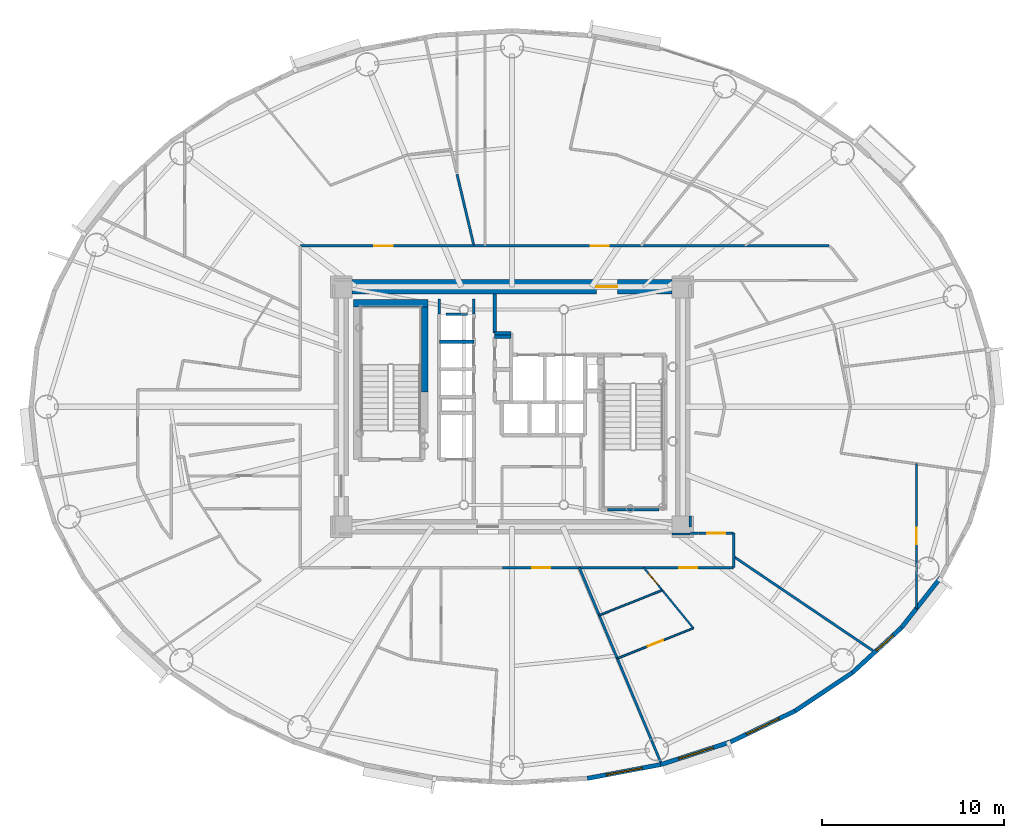
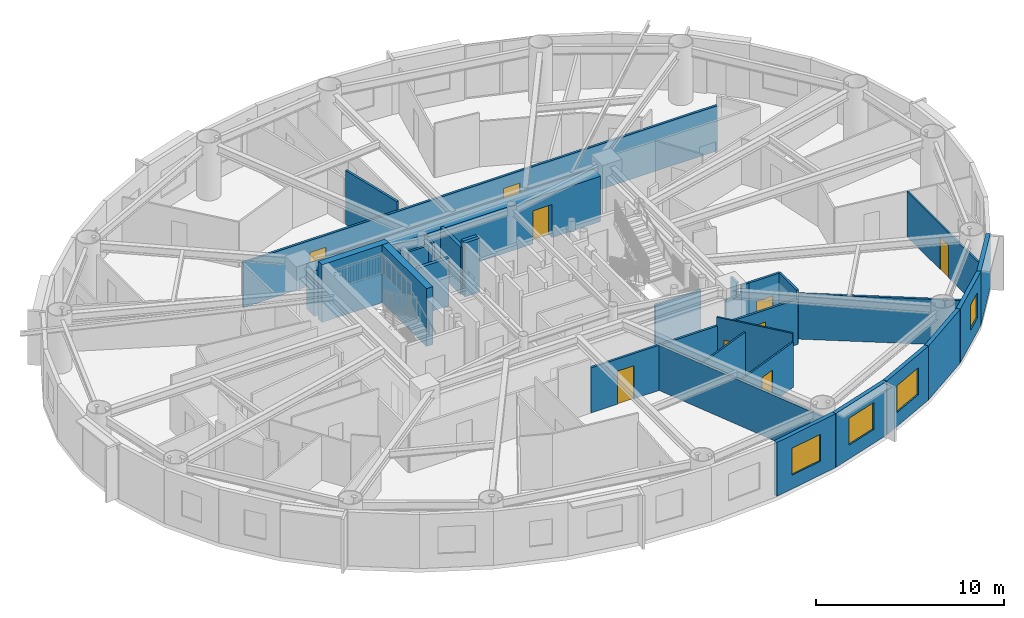
# One storey, part 9 of 18: 31 walls, 9 doors, 4 windows, 13 openings.
"""IFC4 building model written with IfcOpenShell, lengths in metres."""

from ifc_helpers import new_model, si_unit, direction, frame, frame_2d, origin, origin_2d, place, context, subcontext, project, spatial, rectangle, extrude, source, transform, mapped, material, layer, layer_set, type_object, element, fill, save


model = new_model("IFC4")

# Units and contexts
model_context = context("Model", 3, precision=1e-05, world=origin(), true_north=direction((0.0, 1.0)))
body_context = subcontext(model_context, "Body", "Model", "MODEL_VIEW")
ifc_project = project(units=[si_unit("LENGTHUNIT", "METRE"), si_unit("AREAUNIT", "SQUARE_METRE"), si_unit("VOLUMEUNIT", "CUBIC_METRE"), si_unit("PLANEANGLEUNIT", "RADIAN"), si_unit("MASSUNIT", "GRAM", prefix="KILO")], contexts=[model_context])

# Site, building, storey
site_placement = place(None, origin())
site = spatial("IfcSite", under=ifc_project, at=site_placement, CompositionType="ELEMENT")
building_placement = place(site_placement, origin())
building = spatial("IfcBuilding", under=site, at=building_placement, Name="Linh Dai School and Residence Tower", CompositionType="ELEMENT")
storey_placement = place(building_placement, frame((0.0, 0.0, 159.89990234375)))
storey = spatial("IfcBuildingStorey", under=building, at=storey_placement, Name="L38", CompositionType="ELEMENT", Elevation=159.89990234375)

# Wall, opening, window
ifc_material_1 = material(Name="Precast Concrete B45 (C35/45)", Category="concrete")
ifc_layer_1 = layer(ifc_material_1, 0.239990234375)
ifc_layer_set_1 = layer_set([ifc_layer_1], Name="Precast Concrete B45 (C35/45)")
wall_type_1 = type_object("IfcWallType", Name="EW-TC-240", PredefinedType="SOLIDWALL", material=ifc_layer_set_1)
wall_1_placement = place(storey_placement, frame((44.18896484375, 7.310546875, 0.0), z_axis=(0.0, 0.0, 1.0), x_axis=(-0.982788108205, -0.184736391573, 0.0)))
wall_1 = element("IfcWall", 1, at=wall_1_placement, inside=storey, type_object=wall_type_1, Name="L38 Terracotta Exterior Wall 32", PredefinedType="SOLIDWALL", context=body_context, shape_type="SweptSolid", body=[
    extrude(rectangle(XDim=4.114013671875, YDim=0.239990234375, at=frame_2d((2.05712890625, 0.0))), origin(), (0.0, 0.0, 1.0), 3.5),
])
opening_1_placement = place(wall_1_placement, frame((1.044677734375, 0.0, 0.89990234375)))
opening_1 = element("IfcOpeningElement", 2, at=opening_1_placement, cuts=wall_1, Name="Opening W1", PredefinedType="OPENING", context=body_context, shape_type="SweptSolid", body=[
    extrude(rectangle(XDim=2.0, YDim=1.75, at=origin_2d()), frame((1.0, 0.1298828125, 0.875), z_axis=(0.0, -1.0, 0.0), x_axis=(1.0, 0.0, 0.0)), (0.0, 0.0, 1.0), 0.260009765625),
])
ifc_material_2 = material(Name="Double Low-E Insulated Glazing", Category="glass")
window_type_1 = type_object("IfcWindowType", Name="WN-RES-2000x1750", PartitioningType="DOUBLE_PANEL_VERTICAL", PredefinedType="WINDOW", material=ifc_material_2)
shared_shape_1 = source(origin(), body_context, "Body", "SweptSolid", [
    extrude(rectangle(XDim=2.0, YDim=1.75, at=origin_2d()), frame((1.0, 0.030029296875, 0.875), z_axis=(0.0, -1.0, 0.0), x_axis=(1.0, 0.0, 0.0)), (0.0, 0.0, 1.0), 0.06005859375),
])
window_1_placement = place(opening_1_placement, origin())
window_1 = element("IfcWindow", 3, at=window_1_placement, inside=storey, type_object=window_type_1, Name="L38 Exterior Window 32.1", OverallHeight=1.75, OverallWidth=2.0, PartitioningType="DOUBLE_PANEL_VERTICAL", PredefinedType="WINDOW", context=body_context, shape_type="MappedRepresentation", body=[
    mapped(shared_shape_1, transform((0.0, 0.0, 0.0), x_axis=(1.0, 0.0, 0.0), y_axis=(0.0, 1.0, 0.0), z_axis=(0.0, 0.0, 1.0), scale=1.0)),
])
fill(opening_1, window_1)

wall_2_placement = place(storey_placement, frame((48.02978515625, 8.556396484375, 0.0), z_axis=(0.0, 0.0, 1.0), x_axis=(-0.951209870236, -0.30854462038, 0.0)))
wall_2 = element("IfcWall", 4, at=wall_2_placement, inside=storey, type_object=wall_type_1, Name="L38 Terracotta Exterior Wall 33", PredefinedType="SOLIDWALL", context=body_context, shape_type="SweptSolid", body=[
    extrude(rectangle(XDim=4.037841796875, YDim=0.239990234375, at=frame_2d((2.01904296875, 0.0))), origin(), (0.0, 0.0, 1.0), 3.5),
])
opening_2_placement = place(wall_2_placement, frame((1.00634765625, 0.0, 0.89990234375)))
opening_2 = element("IfcOpeningElement", 5, at=opening_2_placement, cuts=wall_2, Name="Opening W1", PredefinedType="OPENING", context=body_context, shape_type="SweptSolid", body=[
    extrude(rectangle(XDim=2.0, YDim=1.75, at=origin_2d()), frame((1.0, 0.1298828125, 0.875), z_axis=(0.0, -1.0, 0.0), x_axis=(1.0, 0.0, 0.0)), (0.0, 0.0, 1.0), 0.260009765625),
])
window_2_placement = place(opening_2_placement, origin())
window_2 = element("IfcWindow", 6, at=window_2_placement, inside=storey, type_object=window_type_1, Name="L38 Exterior Window 33.1", OverallHeight=1.75, OverallWidth=2.0, PartitioningType="DOUBLE_PANEL_VERTICAL", PredefinedType="WINDOW", context=body_context, shape_type="MappedRepresentation", body=[
    mapped(shared_shape_1, transform((0.0, 0.0, 0.0), x_axis=(1.0, 0.0, 0.0), y_axis=(0.0, 1.0, 0.0), z_axis=(0.0, 0.0, 1.0), scale=1.0)),
])
fill(opening_2, window_2)

wall_3_placement = place(storey_placement, frame((51.5732421875, 10.2568359375, 0.0), z_axis=(0.0, 0.0, 1.0), x_axis=(-0.901564733809, -0.432644231155, 0.0)))
wall_3 = element("IfcWall", 7, at=wall_3_placement, inside=storey, type_object=wall_type_1, Name="L38 Terracotta Exterior Wall 34", PredefinedType="SOLIDWALL", context=body_context, shape_type="SweptSolid", body=[
    extrude(rectangle(XDim=3.930419921875, YDim=0.239990234375, at=frame_2d((1.96533203125, 0.0))), origin(), (0.0, 0.0, 1.0), 3.5),
])
opening_3_placement = place(wall_3_placement, frame((0.96533203125, 0.0, 0.89990234375)))
opening_3 = element("IfcOpeningElement", 8, at=opening_3_placement, cuts=wall_3, Name="Opening W1", PredefinedType="OPENING", context=body_context, shape_type="SweptSolid", body=[
    extrude(rectangle(XDim=2.0, YDim=1.75, at=origin_2d()), frame((1.0, 0.1298828125, 0.875), z_axis=(0.0, -1.0, 0.0), x_axis=(1.0, 0.0, 0.0)), (0.0, 0.0, 1.0), 0.260009765625),
])
window_3_placement = place(opening_3_placement, origin())
window_3 = element("IfcWindow", 9, at=window_3_placement, inside=storey, type_object=window_type_1, Name="L38 Exterior Window 34.1", OverallHeight=1.75, OverallWidth=2.0, PartitioningType="DOUBLE_PANEL_VERTICAL", PredefinedType="WINDOW", context=body_context, shape_type="MappedRepresentation", body=[
    mapped(shared_shape_1, transform((0.0, 0.0, 0.0), x_axis=(1.0, 0.0, 0.0), y_axis=(0.0, 1.0, 0.0), z_axis=(0.0, 0.0, 1.0), scale=1.0)),
])
fill(opening_3, window_3)

# Wall
wall_4_placement = place(storey_placement, frame((54.73193359375, 12.369384765625, 0.0), z_axis=(0.0, 0.0, 1.0), x_axis=(-0.831228998277, -0.555930168657, 0.0)))
element("IfcWall", 10, at=wall_4_placement, inside=storey, type_object=wall_type_1, Name="L38 Terracotta Exterior Wall 35", PredefinedType="SOLIDWALL", context=body_context, shape_type="SweptSolid", body=[
    extrude(rectangle(XDim=3.800048828125, YDim=0.239990234375, at=frame_2d((1.89990234375, 0.0))), origin(), (0.0, 0.0, 1.0), 3.5),
])

# Wall, opening, window
wall_5_placement = place(storey_placement, frame((57.42822265625, 14.841552734375, 0.0), z_axis=(0.0, 0.0, 1.0), x_axis=(-0.737076565834, -0.675809245349, 0.0)))
wall_5 = element("IfcWall", 11, at=wall_5_placement, inside=storey, type_object=wall_type_1, Name="L38 Terracotta Exterior Wall 36", PredefinedType="SOLIDWALL", context=body_context, shape_type="SweptSolid", body=[
    extrude(rectangle(XDim=3.658203125, YDim=0.239990234375, at=frame_2d((1.8291015625, 0.0))), origin(), (0.0, 0.0, 1.0), 3.5),
])
opening_4_placement = place(wall_5_placement, frame((0.62060546875, 0.0, 0.89990234375)))
opening_4 = element("IfcOpeningElement", 12, at=opening_4_placement, cuts=wall_5, Name="Opening W3", PredefinedType="OPENING", context=body_context, shape_type="SweptSolid", body=[
    extrude(rectangle(XDim=1.25, YDim=1.64990234375, at=origin_2d()), frame((0.625, 0.1298828125, 0.824951171875), z_axis=(0.0, -1.0, 0.0), x_axis=(1.0, 0.0, 0.0)), (0.0, 0.0, 1.0), 0.260009765625),
])
window_type_2 = type_object("IfcWindowType", Name="WN-RES-1250x1650", PartitioningType="SINGLE_PANEL", PredefinedType="WINDOW", material=ifc_material_2)
shared_shape_2 = source(origin(), body_context, "Body", "SweptSolid", [
    extrude(rectangle(XDim=1.25, YDim=1.64990234375, at=origin_2d()), frame((0.625, 0.030029296875, 0.824951171875), z_axis=(0.0, -1.0, 0.0), x_axis=(1.0, 0.0, 0.0)), (0.0, 0.0, 1.0), 0.06005859375),
])
window_4_placement = place(opening_4_placement, origin())
window_4 = element("IfcWindow", 13, at=window_4_placement, inside=storey, type_object=window_type_2, Name="L38 Dwelling Window U3808-LIV", OverallHeight=1.64990234375, OverallWidth=1.25, PartitioningType="SINGLE_PANEL", PredefinedType="WINDOW", context=body_context, shape_type="MappedRepresentation", body=[
    mapped(shared_shape_2, transform((0.0, 0.0, 0.0), x_axis=(1.0, 0.0, 0.0), y_axis=(0.0, 1.0, 0.0), z_axis=(0.0, 0.0, 1.0), scale=1.0)),
])
fill(opening_4, window_4)

# Wall
wall_6_placement = place(storey_placement, frame((59.595947265625, 17.611572265625, 0.0), z_axis=(0.0, 0.0, 1.0), x_axis=(-0.616287674549, -0.787521112224, 0.0)))
element("IfcWall", 14, at=wall_6_placement, inside=storey, type_object=wall_type_1, Name="L38 Terracotta Exterior Wall 37", PredefinedType="SOLIDWALL", context=body_context, shape_type="SweptSolid", body=[
    extrude(rectangle(XDim=3.517333984375, YDim=0.239990234375, at=frame_2d((1.7587890625, 0.0))), origin(), (0.0, 0.0, 1.0), 3.5),
])

# Wall, openings, doors
ifc_material_3 = material(Name="Autoclaved Aerated Concrete Blockwork", Category="masonry")
ifc_layer_2 = layer(ifc_material_3, 0.135009765625)
ifc_layer_set_2 = layer_set([ifc_layer_2], Name="Autoclaved Aerated Concrete Blockwork")
wall_type_2 = type_object("IfcWallType", Name="IW-CORR-135-EI90", PredefinedType="PARTITIONING", material=ifc_layer_set_2)
wall_7_placement = place(storey_placement, frame((24.35009765625, 35.85009765625, 0.0), z_axis=(0.0, 0.0, 1.0), x_axis=(1.0, 0.0, 0.0)))
wall_7 = element("IfcWall", 15, at=wall_7_placement, inside=storey, type_object=wall_type_2, Name="L38 Interior Partition Wall 026", PredefinedType="PARTITIONING", context=body_context, shape_type="SweptSolid", body=[
    extrude(rectangle(XDim=29.103759765625, YDim=0.135009765625, at=frame_2d((14.5517578125, 0.0))), origin(), (0.0, 0.0, 1.0), 2.93505859375),
])
opening_5_placement = place(wall_7_placement, frame((15.9716796875, 0.0, 0.0)))
opening_5 = element("IfcOpeningElement", 16, at=opening_5_placement, cuts=wall_7, Name="Opening D03", PredefinedType="OPENING", context=body_context, shape_type="SweptSolid", body=[
    extrude(rectangle(XDim=1.0, YDim=2.14990234375, at=origin_2d()), frame((0.5, 0.07763671875, 1.074951171875), z_axis=(0.0, -1.0, 0.0), x_axis=(1.0, 0.0, 0.0)), (0.0, 0.0, 1.0), 0.155029296875),
])
opening_6_placement = place(wall_7_placement, frame((4.07421875, 0.0, 0.0)))
opening_6 = element("IfcOpeningElement", 17, at=opening_6_placement, cuts=wall_7, Name="Opening D03", PredefinedType="OPENING", context=body_context, shape_type="SweptSolid", body=[
    extrude(rectangle(XDim=1.0, YDim=2.14990234375, at=origin_2d()), frame((0.5, 0.07763671875, 1.074951171875), z_axis=(0.0, -1.0, 0.0), x_axis=(1.0, 0.0, 0.0)), (0.0, 0.0, 1.0), 0.155029296875),
])
ifc_material_4 = material(Name="Fire-Rated Solid Timber Entrance Door", Category="wood")
door_type_1 = type_object("IfcDoorType", Name="DR-FLAT-1000x2150-FD60S", OperationType="NOTDEFINED", PredefinedType="DOOR", material=ifc_material_4)
shared_shape_3 = source(origin(), body_context, "Body", "SweptSolid", [
    extrude(rectangle(XDim=1.0, YDim=2.14990234375, at=origin_2d()), frame((0.5, 0.02490234375, 1.074951171875), z_axis=(0.0, -1.0, 0.0), x_axis=(1.0, 0.0, 0.0)), (0.0, 0.0, 1.0), 0.050048828125),
])
door_1_placement = place(opening_5_placement, origin())
door_1 = element("IfcDoor", 18, at=door_1_placement, inside=storey, type_object=door_type_1, Name="L38 U3802 Apartment Entrance Door", OperationType="SINGLE_SWING_LEFT", OverallHeight=2.14990234375, OverallWidth=1.0, PredefinedType="DOOR", context=body_context, shape_type="MappedRepresentation", body=[
    mapped(shared_shape_3, transform((0.0, 0.0, 0.0), x_axis=(1.0, 0.0, 0.0), y_axis=(0.0, 1.0, 0.0), z_axis=(0.0, 0.0, 1.0), scale=1.0)),
])
fill(opening_5, door_1)
door_2_placement = place(opening_6_placement, origin())
door_2 = element("IfcDoor", 19, at=door_2_placement, inside=storey, type_object=door_type_1, Name="L38 U3803 Apartment Entrance Door", OperationType="SINGLE_SWING_LEFT", OverallHeight=2.14990234375, OverallWidth=1.0, PredefinedType="DOOR", context=body_context, shape_type="MappedRepresentation", body=[
    mapped(shared_shape_3, transform((0.0, 0.0, 0.0), x_axis=(1.0, 0.0, 0.0), y_axis=(0.0, 1.0, 0.0), z_axis=(0.0, 0.0, 1.0), scale=1.0)),
])
fill(opening_6, door_2)

# Wall
wall_8_placement = place(storey_placement, frame((32.975830078125, 39.79248046875, 0.0), z_axis=(0.0, 0.0, 1.0), x_axis=(0.230050705958, -0.973178643769, 0.0)))
element("IfcWall", 20, at=wall_8_placement, inside=storey, type_object=wall_type_2, Name="L38 Interior Partition Wall 043", PredefinedType="PARTITIONING", context=body_context, shape_type="SweptSolid", body=[
    extrude(rectangle(XDim=3.99560546875, YDim=0.135009765625, at=frame_2d((1.997802734375, 0.0))), origin(), (0.0, 0.0, 1.0), 3.5),
])

# Wall, openings, doors
wall_9_placement = place(storey_placement, frame((35.48583984375, 18.14990234375, 0.0), z_axis=(0.0, 0.0, 1.0), x_axis=(1.0, 0.0, 0.0)))
wall_9 = element("IfcWall", 21, at=wall_9_placement, inside=storey, type_object=wall_type_2, Name="L38 Interior Partition Wall 058", PredefinedType="PARTITIONING", context=body_context, shape_type="SweptSolid", body=[
    extrude(rectangle(XDim=12.714111328125, YDim=0.135009765625, at=frame_2d((6.35693359375, 0.0))), origin(), (0.0, 0.0, 1.0), 2.93505859375),
])
opening_7_placement = place(wall_9_placement, frame((1.6279296875, 0.0, 0.0)))
opening_7 = element("IfcOpeningElement", 22, at=opening_7_placement, cuts=wall_9, Name="Opening D03", PredefinedType="OPENING", context=body_context, shape_type="SweptSolid", body=[
    extrude(rectangle(XDim=1.0, YDim=2.14990234375, at=origin_2d()), frame((0.5, 0.07763671875, 1.074951171875), z_axis=(0.0, -1.0, 0.0), x_axis=(1.0, 0.0, 0.0)), (0.0, 0.0, 1.0), 0.155029296875),
])
opening_8_placement = place(wall_9_placement, frame((9.71923828125, 0.0, 0.0)))
opening_8 = element("IfcOpeningElement", 23, at=opening_8_placement, cuts=wall_9, Name="Opening D03", PredefinedType="OPENING", context=body_context, shape_type="SweptSolid", body=[
    extrude(rectangle(XDim=1.0, YDim=2.14990234375, at=origin_2d()), frame((0.5, 0.07763671875, 1.074951171875), z_axis=(0.0, -1.0, 0.0), x_axis=(1.0, 0.0, 0.0)), (0.0, 0.0, 1.0), 0.155029296875),
])
door_3_placement = place(opening_7_placement, origin())
door_3 = element("IfcDoor", 24, at=door_3_placement, inside=storey, type_object=door_type_1, Name="L38 U3806 Apartment Entrance Door", OperationType="SINGLE_SWING_LEFT", OverallHeight=2.14990234375, OverallWidth=1.0, PredefinedType="DOOR", context=body_context, shape_type="MappedRepresentation", body=[
    mapped(shared_shape_3, transform((0.0, 0.0, 0.0), x_axis=(1.0, 0.0, 0.0), y_axis=(0.0, 1.0, 0.0), z_axis=(0.0, 0.0, 1.0), scale=1.0)),
])
fill(opening_7, door_3)
door_4_placement = place(opening_8_placement, origin())
door_4 = element("IfcDoor", 25, at=door_4_placement, inside=storey, type_object=door_type_1, Name="L38 U3807 Apartment Entrance Door", OperationType="SINGLE_SWING_LEFT", OverallHeight=2.14990234375, OverallWidth=1.0, PredefinedType="DOOR", context=body_context, shape_type="MappedRepresentation", body=[
    mapped(shared_shape_3, transform((0.0, 0.0, 0.0), x_axis=(1.0, 0.0, 0.0), y_axis=(0.0, 1.0, 0.0), z_axis=(0.0, 0.0, 1.0), scale=1.0)),
])
fill(opening_8, door_4)

# Wall
wall_10_placement = place(storey_placement, frame((39.701904296875, 18.14990234375, 0.0), z_axis=(0.0, 0.0, 1.0), x_axis=(0.385887872902, -0.92254568968, 0.0)))
element("IfcWall", 26, at=wall_10_placement, inside=storey, type_object=wall_type_2, Name="L38 Interior Partition Wall 066", PredefinedType="PARTITIONING", context=body_context, shape_type="SweptSolid", body=[
    extrude(rectangle(XDim=11.739990234375, YDim=0.135009765625, at=frame_2d((5.8701171875, 0.0))), origin(), (0.0, 0.0, 1.0), 2.93505859375),
])

# Wall, opening, door
wall_11_placement = place(storey_placement, frame((46.28515625, 20.050048828125, 0.0), z_axis=(0.0, 0.0, 1.0), x_axis=(1.0, 0.0, 0.0)))
wall_11 = element("IfcWall", 27, at=wall_11_placement, inside=storey, type_object=wall_type_2, Name="L38 Interior Partition Wall 079", PredefinedType="PARTITIONING", context=body_context, shape_type="SweptSolid", body=[
    extrude(rectangle(XDim=1.914794921875, YDim=0.135009765625, at=frame_2d((0.95751953125, 0.0))), origin(), (0.0, 0.0, 1.0), 3.5),
])
opening_9_placement = place(wall_11_placement, frame((0.45751953125, 0.0, 0.0)))
opening_9 = element("IfcOpeningElement", 28, at=opening_9_placement, cuts=wall_11, Name="Opening D03", PredefinedType="OPENING", context=body_context, shape_type="SweptSolid", body=[
    extrude(rectangle(XDim=1.0, YDim=2.14990234375, at=origin_2d()), frame((0.5, 0.07763671875, 1.074951171875), z_axis=(0.0, -1.0, 0.0), x_axis=(1.0, 0.0, 0.0)), (0.0, 0.0, 1.0), 0.155029296875),
])
door_5_placement = place(opening_9_placement, origin())
door_5 = element("IfcDoor", 29, at=door_5_placement, inside=storey, type_object=door_type_1, Name="L38 U3808 Apartment Entrance Door", OperationType="SINGLE_SWING_RIGHT", OverallHeight=2.14990234375, OverallWidth=1.0, PredefinedType="DOOR", context=body_context, shape_type="MappedRepresentation", body=[
    mapped(shared_shape_3, transform((0.0, 0.0, 0.0), x_axis=(1.0, 0.0, 0.0), y_axis=(0.0, 1.0, 0.0), z_axis=(0.0, 0.0, 1.0), scale=1.0)),
])
fill(opening_9, door_5)

# Walls
wall_12_placement = place(storey_placement, frame((48.199951171875, 18.14990234375, 0.0), z_axis=(0.0, 0.0, 1.0), x_axis=(0.0, 1.0, 0.0)))
element("IfcWall", 30, at=wall_12_placement, inside=storey, type_object=wall_type_2, Name="L38 Interior Partition Wall 082", PredefinedType="PARTITIONING", context=body_context, shape_type="SweptSolid", body=[
    extrude(rectangle(XDim=1.900146484375, YDim=0.135009765625, at=frame_2d((0.9501953125, 0.0))), origin(), (0.0, 0.0, 1.0), 3.5),
])
wall_13_placement = place(storey_placement, frame((48.199951171875, 18.756103515625, 0.0), z_axis=(0.0, 0.0, 1.0), x_axis=(0.828559609568, -0.559900860325, 0.0)))
element("IfcWall", 31, at=wall_13_placement, inside=storey, type_object=wall_type_2, Name="L38 Interior Partition Wall 083", PredefinedType="PARTITIONING", context=body_context, shape_type="SweptSolid", body=[
    extrude(rectangle(XDim=9.383544921875, YDim=0.135009765625, at=frame_2d((4.69189453125, 0.0))), origin(), (0.0, 0.0, 1.0), 2.93505859375),
])
wall_14_placement = place(storey_placement, frame((44.080078125, 21.330078125, 0.0), z_axis=(0.0, 0.0, 1.0), x_axis=(-1.0, 0.0, 0.0)))
element("IfcWall", 32, at=wall_14_placement, inside=storey, type_object=wall_type_2, Name="L38 Interior Partition Wall 095", PredefinedType="PARTITIONING", context=body_context, shape_type="SweptSolid", body=[
    extrude(rectangle(XDim=2.820068359375, YDim=0.135009765625, at=frame_2d((1.41015625, 0.0))), origin(), (0.0, 0.0, 1.0), 3.03515625),
])
wall_15_placement = place(storey_placement, frame((32.360107421875, 32.10009765625, 0.0), z_axis=(0.0, 0.0, 1.0), x_axis=(1.0, 0.0, 0.0)))
element("IfcWall", 33, at=wall_15_placement, inside=storey, type_object=wall_type_2, Name="L38 Interior Partition Wall 096", PredefinedType="PARTITIONING", context=body_context, shape_type="SweptSolid", body=[
    extrude(rectangle(XDim=1.179931640625, YDim=0.135009765625, at=frame_2d((0.58984375, 0.0))), origin(), (0.0, 0.0, 1.0), 3.085205078125),
])
wall_16_placement = place(storey_placement, frame((32.0, 32.93994140625, 0.0), z_axis=(0.0, 0.0, 1.0), x_axis=(0.0, -1.0, 0.0)))
element("IfcWall", 34, at=wall_16_placement, inside=storey, type_object=wall_type_2, Name="L38 Interior Partition Wall 098", PredefinedType="PARTITIONING", context=body_context, shape_type="SweptSolid", body=[
    extrude(rectangle(XDim=0.829833984375, YDim=0.135009765625, at=frame_2d((0.4150390625, 0.0))), origin(), (0.0, 0.0, 1.0), 3.03515625),
])
wall_17_placement = place(storey_placement, frame((33.89990234375, 32.110107421875, 0.0), z_axis=(0.0, 0.0, 1.0), x_axis=(0.0, 1.0, 0.0)))
element("IfcWall", 35, at=wall_17_placement, inside=storey, type_object=wall_type_2, Name="L38 Interior Partition Wall 099", PredefinedType="PARTITIONING", context=body_context, shape_type="SweptSolid", body=[
    extrude(rectangle(XDim=0.829833984375, YDim=0.135009765625, at=frame_2d((0.4150390625, 0.0))), origin(), (0.0, 0.0, 1.0), 3.085205078125),
])
wall_18_placement = place(storey_placement, frame((44.81005859375, 20.0, 0.0), z_axis=(0.0, 0.0, 1.0), x_axis=(1.0, 0.0, 0.0)))
element("IfcWall", 36, at=wall_18_placement, inside=storey, type_object=wall_type_2, Name="L38 Interior Partition Wall 106", PredefinedType="PARTITIONING", context=body_context, shape_type="SweptSolid", body=[
    extrude(rectangle(XDim=0.989990234375, YDim=0.135009765625, at=frame_2d((0.4951171875, 0.0))), origin(), (0.0, 0.0, 1.0), 2.93505859375),
])
wall_19_placement = place(storey_placement, frame((45.81005859375, 20.050048828125, 0.0), z_axis=(0.0, 0.0, 1.0), x_axis=(1.0, 0.0, 0.0)))
element("IfcWall", 37, at=wall_19_placement, inside=storey, type_object=wall_type_2, Name="L38 Interior Partition Wall 107", PredefinedType="PARTITIONING", context=body_context, shape_type="SweptSolid", body=[
    extrude(rectangle(XDim=0.465087890625, YDim=0.135009765625, at=frame_2d((0.232421875, 0.0))), origin(), (0.0, 0.0, 1.0), 3.5),
])
wall_20_placement = place(storey_placement, frame((45.800048828125, 20.3779296875, 0.0), z_axis=(0.0, 0.0, 1.0), x_axis=(0.0, 1.0, 0.0)))
element("IfcWall", 38, at=wall_20_placement, inside=storey, type_object=wall_type_2, Name="L38 Interior Partition Wall 116", PredefinedType="PARTITIONING", context=body_context, shape_type="SweptSolid", body=[
    extrude(rectangle(XDim=0.612060546875, YDim=0.135009765625, at=frame_2d((0.30615234375, 0.0))), origin(), (0.0, 0.0, 1.0), 3.5),
])
ifc_material_5 = material(Name="Concrete B45 (C35/45)", Category="concrete")
ifc_layer_3 = layer(ifc_material_5, 0.199951171875)
ifc_layer_set_3 = layer_set([ifc_layer_3], Name="Concrete B45 (C35/45)")
wall_type_3 = type_object("IfcWallType", Name="IW-SHAFT-200-EI120", PredefinedType="PARTITIONING", material=ifc_layer_set_3)
wall_21_placement = place(storey_placement, frame((32.0, 30.580078125, 0.0), z_axis=(0.0, 0.0, 1.0), x_axis=(1.0, 0.0, 0.0)))
element("IfcWall", 39, at=wall_21_placement, inside=storey, type_object=wall_type_3, Name="L38 Interior Partition Wall 041", PredefinedType="PARTITIONING", context=body_context, shape_type="SweptSolid", body=[
    extrude(rectangle(XDim=1.89990234375, YDim=0.199951171875, at=frame_2d((0.949951171875, 0.0))), origin(), (0.0, 0.0, 1.0), 3.085205078125),
])
wall_22_placement = place(storey_placement, frame((35.050048828125, 30.85009765625, 0.0), z_axis=(0.0, 0.0, 1.0), x_axis=(1.0, 0.0, 0.0)))
element("IfcWall", 40, at=wall_22_placement, inside=storey, type_object=wall_type_3, Name="L38 Interior Partition Wall 051", PredefinedType="PARTITIONING", context=body_context, shape_type="SweptSolid", body=[
    extrude(rectangle(XDim=0.89990234375, YDim=0.199951171875, at=frame_2d((0.449951171875, 0.0))), origin(), (0.0, 0.0, 1.0), 3.5),
])
wall_23_placement = place(storey_placement, frame((35.050048828125, 31.050048828125, 0.0), z_axis=(0.0, 0.0, 1.0), x_axis=(0.0, 1.0, 0.0)))
element("IfcWall", 41, at=wall_23_placement, inside=storey, type_object=wall_type_3, Name="L38 Interior Partition Wall 052", PredefinedType="PARTITIONING", context=body_context, shape_type="SweptSolid", body=[
    extrude(rectangle(XDim=2.14990234375, YDim=0.199951171875, at=frame_2d((1.074951171875, 0.0))), origin(), (0.0, 0.0, 1.0), 3.085205078125),
])
wall_24_placement = place(storey_placement, frame((35.050048828125, 31.050048828125, 0.0), z_axis=(0.0, 0.0, 1.0), x_axis=(1.0, 0.0, 0.0)))
element("IfcWall", 42, at=wall_24_placement, inside=storey, type_object=wall_type_3, Name="L38 Interior Partition Wall 053", PredefinedType="PARTITIONING", context=body_context, shape_type="SweptSolid", body=[
    extrude(rectangle(XDim=0.89990234375, YDim=0.199951171875, at=frame_2d((0.449951171875, 0.0))), origin(), (0.0, 0.0, 1.0), 3.5),
])
ifc_material_6 = material(Name="Gypsum Plasterboard Acoustic Stud Partition", Category="masonry")
ifc_layer_4 = layer(ifc_material_6, 0.10009765625)
ifc_layer_set_4 = layer_set([ifc_layer_4], Name="Gypsum Plasterboard Acoustic Stud Partition")
wall_type_4 = type_object("IfcWallType", Name="IW-UNIT-100", PredefinedType="PARTITIONING", material=ifc_layer_set_4)
wall_25_placement = place(storey_placement, frame((40.800537109375, 15.523193359375, 0.0), z_axis=(0.0, 0.0, 1.0), x_axis=(0.928814511675, 0.370545007931, 0.0)))
element("IfcWall", 43, at=wall_25_placement, inside=storey, type_object=wall_type_4, Name="L38 Interior Partition Wall 070", PredefinedType="PARTITIONING", context=body_context, shape_type="SweptSolid", body=[
    extrude(rectangle(XDim=3.73388671875, YDim=0.10009765625, at=frame_2d((1.866943359375, 0.0))), origin(), (0.0, 0.0, 1.0), 2.93505859375),
])

# Wall, opening, door
wall_26_placement = place(storey_placement, frame((41.7939453125, 13.148681640625, 0.0), z_axis=(0.0, 0.0, 1.0), x_axis=(0.928797683311, 0.370587187415, 0.0)))
wall_26 = element("IfcWall", 44, at=wall_26_placement, inside=storey, type_object=wall_type_4, Name="L38 Interior Partition Wall 074", PredefinedType="PARTITIONING", context=body_context, shape_type="SweptSolid", body=[
    extrude(rectangle(XDim=4.506103515625, YDim=0.10009765625, at=frame_2d((2.2529296875, 0.0))), origin(), (0.0, 0.0, 1.0), 2.93505859375),
])
opening_10_placement = place(wall_26_placement, frame((1.80322265625, 0.0, 0.0)))
opening_10 = element("IfcOpeningElement", 45, at=opening_10_placement, cuts=wall_26, Name="Opening D05", PredefinedType="OPENING", context=body_context, shape_type="SweptSolid", body=[
    extrude(rectangle(XDim=0.89990234375, YDim=2.10009765625, at=origin_2d()), frame((0.449951171875, 0.06005859375, 1.050048828125), z_axis=(0.0, -1.0, 0.0), x_axis=(1.0, 0.0, 0.0)), (0.0, 0.0, 1.0), 0.1201171875),
])
ifc_material_7 = material(Name="Engineered Timber Internal Door", Category="wood")
door_type_2 = type_object("IfcDoorType", Name="DR-INT-900x2100", OperationType="NOTDEFINED", PredefinedType="DOOR", material=ifc_material_7)
shared_shape_4 = source(origin(), body_context, "Body", "SweptSolid", [
    extrude(rectangle(XDim=0.89990234375, YDim=2.10009765625, at=origin_2d()), frame((0.449951171875, 0.02490234375, 1.050048828125), z_axis=(0.0, -1.0, 0.0), x_axis=(1.0, 0.0, 0.0)), (0.0, 0.0, 1.0), 0.050048828125),
])
door_6_placement = place(opening_10_placement, origin())
door_6 = element("IfcDoor", 46, at=door_6_placement, inside=storey, type_object=door_type_2, Name="L38 Apartment U3807 Kitchen Door", OperationType="SINGLE_SWING_LEFT", OverallHeight=2.10009765625, OverallWidth=0.89990234375, PredefinedType="DOOR", context=body_context, shape_type="MappedRepresentation", body=[
    mapped(shared_shape_4, transform((0.0, 0.0, 0.0), x_axis=(1.0, 0.0, 0.0), y_axis=(0.0, 1.0, 0.0), z_axis=(0.0, 0.0, 1.0), scale=1.0)),
])
fill(opening_10, door_6)

wall_27_placement = place(storey_placement, frame((43.250244140625, 18.14990234375, 0.0), z_axis=(0.0, 0.0, 1.0), x_axis=(0.633743940899, -0.773542899505, 0.0)))
wall_27 = element("IfcWall", 47, at=wall_27_placement, inside=storey, type_object=wall_type_4, Name="L38 Interior Partition Wall 076", PredefinedType="PARTITIONING", context=body_context, shape_type="SweptSolid", body=[
    extrude(rectangle(XDim=4.306640625, YDim=0.10009765625, at=frame_2d((2.1533203125, 0.0))), origin(), (0.0, 0.0, 1.0), 3.5),
])
opening_11_placement = place(wall_27_placement, frame((0.41357421875, 0.0, 0.0)))
opening_11 = element("IfcOpeningElement", 48, at=opening_11_placement, cuts=wall_27, Name="Opening D06", PredefinedType="OPENING", context=body_context, shape_type="SweptSolid", body=[
    extrude(rectangle(XDim=0.820068359375, YDim=2.10009765625, at=origin_2d()), frame((0.41015625, 0.06005859375, 1.050048828125), z_axis=(0.0, -1.0, 0.0), x_axis=(1.0, 0.0, 0.0)), (0.0, 0.0, 1.0), 0.1201171875),
])
ifc_material_8 = material(Name="Moisture-Resistant Timber Bathroom Door", Category="wood")
door_type_3 = type_object("IfcDoorType", Name="DR-WET-820x2100", OperationType="NOTDEFINED", PredefinedType="DOOR", material=ifc_material_8)
shared_shape_5 = source(origin(), body_context, "Body", "SweptSolid", [
    extrude(rectangle(XDim=0.820068359375, YDim=2.10009765625, at=origin_2d()), frame((0.41015625, 0.02490234375, 1.050048828125), z_axis=(0.0, -1.0, 0.0), x_axis=(1.0, 0.0, 0.0)), (0.0, 0.0, 1.0), 0.050048828125),
])
door_7_placement = place(opening_11_placement, origin())
door_7 = element("IfcDoor", 49, at=door_7_placement, inside=storey, type_object=door_type_3, Name="L38 Apartment U3807 Bathroom Door", OperationType="SINGLE_SWING_RIGHT", OverallHeight=2.10009765625, OverallWidth=0.820068359375, PredefinedType="DOOR", context=body_context, shape_type="MappedRepresentation", body=[
    mapped(shared_shape_5, transform((0.0, 0.0, 0.0), x_axis=(1.0, 0.0, 0.0), y_axis=(0.0, 1.0, 0.0), z_axis=(0.0, 0.0, 1.0), scale=1.0)),
])
fill(opening_11, door_7)

wall_28_placement = place(storey_placement, frame((58.26171875, 15.898681640625, 0.0), z_axis=(0.0, 0.0, 1.0), x_axis=(0.0, 1.0, 0.0)))
wall_28 = element("IfcWall", 50, at=wall_28_placement, inside=storey, type_object=wall_type_4, Name="L38 Interior Partition Wall 093", PredefinedType="PARTITIONING", context=body_context, shape_type="SweptSolid", body=[
    extrude(rectangle(XDim=7.963134765625, YDim=0.10009765625, at=frame_2d((3.9814453125, 0.0))), origin(), (0.0, 0.0, 1.0), 2.93505859375),
])
opening_12_placement = place(wall_28_placement, frame((3.531494140625, 0.0, 0.0)))
opening_12 = element("IfcOpeningElement", 51, at=opening_12_placement, cuts=wall_28, Name="Opening D05", PredefinedType="OPENING", context=body_context, shape_type="SweptSolid", body=[
    extrude(rectangle(XDim=0.89990234375, YDim=2.10009765625, at=origin_2d()), frame((0.449951171875, 0.06005859375, 1.050048828125), z_axis=(0.0, -1.0, 0.0), x_axis=(1.0, 0.0, 0.0)), (0.0, 0.0, 1.0), 0.1201171875),
])
door_8_placement = place(opening_12_placement, origin())
door_8 = element("IfcDoor", 52, at=door_8_placement, inside=storey, type_object=door_type_2, Name="L38 Apartment U3808 Kitchen Door", OperationType="SINGLE_SWING_LEFT", OverallHeight=2.10009765625, OverallWidth=0.89990234375, PredefinedType="DOOR", context=body_context, shape_type="MappedRepresentation", body=[
    mapped(shared_shape_4, transform((0.0, 0.0, 0.0), x_axis=(1.0, 0.0, 0.0), y_axis=(0.0, 1.0, 0.0), z_axis=(0.0, 0.0, 1.0), scale=1.0)),
])
fill(opening_12, door_8)

# Walls
ifc_layer_5 = layer(ifc_material_5, 0.39990234375)
ifc_layer_set_5 = layer_set([ifc_layer_5], Name="Concrete B45 (C35/45)")
wall_type_5 = type_object("IfcWallType", Name="WL-CORE400", PredefinedType="SHEAR", material=ifc_layer_set_5)
wall_29_placement = place(storey_placement, frame((31.179931640625, 27.800048828125, 0.0), z_axis=(0.0, 0.0, 1.0), x_axis=(0.0, 1.0, 0.0)))
element("IfcWall", 53, at=wall_29_placement, inside=storey, type_object=wall_type_5, Name="L38 Core Stair ST1 Bearing Wall E", PredefinedType="SHEAR", context=body_context, shape_type="SweptSolid", body=[
    extrude(rectangle(XDim=4.89990234375, YDim=0.39990234375, at=frame_2d((2.449951171875, 0.0))), origin(), (0.0, 0.0, 1.0), 3.75),
])
wall_30_placement = place(storey_placement, frame((27.280029296875, 32.699951171875, 0.0), z_axis=(0.0, 0.0, 1.0), x_axis=(1.0, 0.0, 0.0)))
element("IfcWall", 54, at=wall_30_placement, inside=storey, type_object=wall_type_5, Name="L38 Core Stair ST1 Bearing Wall N", PredefinedType="SHEAR", context=body_context, shape_type="SweptSolid", body=[
    extrude(rectangle(XDim=4.099853515625, YDim=0.39990234375, at=frame_2d((2.0498046875, 0.0))), origin(), (0.0, 0.0, 1.0), 3.75),
])

# Wall, opening, door
ifc_material_9 = material(Name="Concrete B60 (C50/60)", Category="concrete")
ifc_layer_6 = layer(ifc_material_9, 0.800048828125)
ifc_layer_set_6 = layer_set([ifc_layer_6], Name="Concrete B60 (C50/60)")
wall_type_6 = type_object("IfcWallType", Name="WL-CORE800", PredefinedType="SHEAR", material=ifc_layer_set_6)
wall_31_placement = place(storey_placement, frame((27.199951171875, 33.60009765625, 0.0), z_axis=(0.0, 0.0, 1.0), x_axis=(1.0, 0.0, 0.0)))
wall_31 = element("IfcWall", 55, at=wall_31_placement, inside=storey, type_object=wall_type_6, Name="L38 Central Core Shear Wall N", PredefinedType="SHEAR", context=body_context, shape_type="SweptSolid", body=[
    extrude(rectangle(XDim=17.60009765625, YDim=0.800048828125, at=frame_2d((8.800048828125, 0.0))), origin(), (0.0, 0.0, 1.0), 2.9501953125),
])
opening_13_placement = place(wall_31_placement, frame((13.449951171875, 0.0, 0.0)))
opening_13 = element("IfcOpeningElement", 56, at=opening_13_placement, cuts=wall_31, Name="Opening D02", PredefinedType="OPENING", context=body_context, shape_type="SweptSolid", body=[
    extrude(rectangle(XDim=1.14990234375, YDim=2.14990234375, at=origin_2d()), frame((0.574951171875, 0.41015625, 1.074951171875), z_axis=(0.0, -1.0, 0.0), x_axis=(1.0, 0.0, 0.0)), (0.0, 0.0, 1.0), 0.820068359375),
])
ifc_material_10 = material(Name="Fire-Rated Glazed Steel Lobby Door", Category="steel")
door_type_4 = type_object("IfcDoorType", Name="DR-LOBBY-1150x2150-FD90S", OperationType="NOTDEFINED", PredefinedType="DOOR", material=ifc_material_10)
shared_shape_6 = source(origin(), body_context, "Body", "SweptSolid", [
    extrude(rectangle(XDim=1.14990234375, YDim=2.14990234375, at=origin_2d()), frame((0.574951171875, 0.02490234375, 1.074951171875), z_axis=(0.0, -1.0, 0.0), x_axis=(1.0, 0.0, 0.0)), (0.0, 0.0, 1.0), 0.050048828125),
])
door_9_placement = place(opening_13_placement, origin())
door_9 = element("IfcDoor", 57, at=door_9_placement, inside=storey, type_object=door_type_4, Name="L38 Firefighting Lobby Door", OperationType="SINGLE_SWING_RIGHT", OverallHeight=2.14990234375, OverallWidth=1.14990234375, PredefinedType="DOOR", context=body_context, shape_type="MappedRepresentation", body=[
    mapped(shared_shape_6, transform((0.0, 0.0, 0.0), x_axis=(1.0, 0.0, 0.0), y_axis=(0.0, 1.0, 0.0), z_axis=(0.0, 0.0, 1.0), scale=1.0)),
])
fill(opening_13, door_9)

save(model, "model.ifc")
